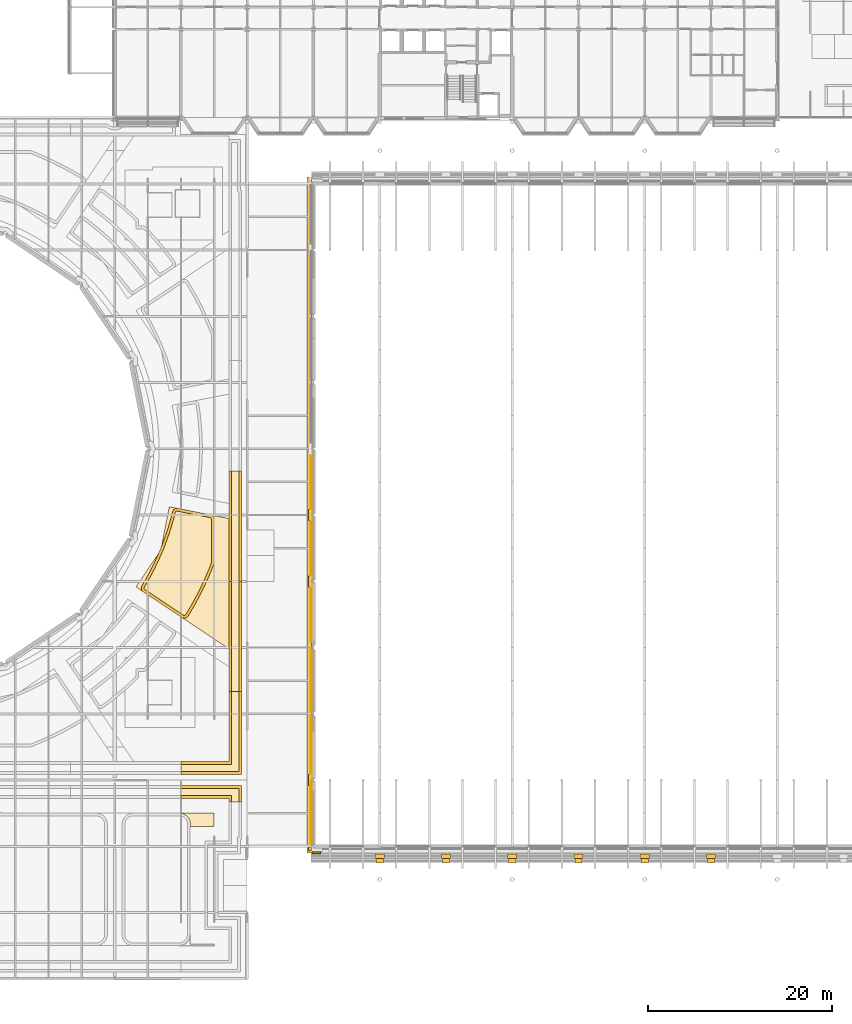
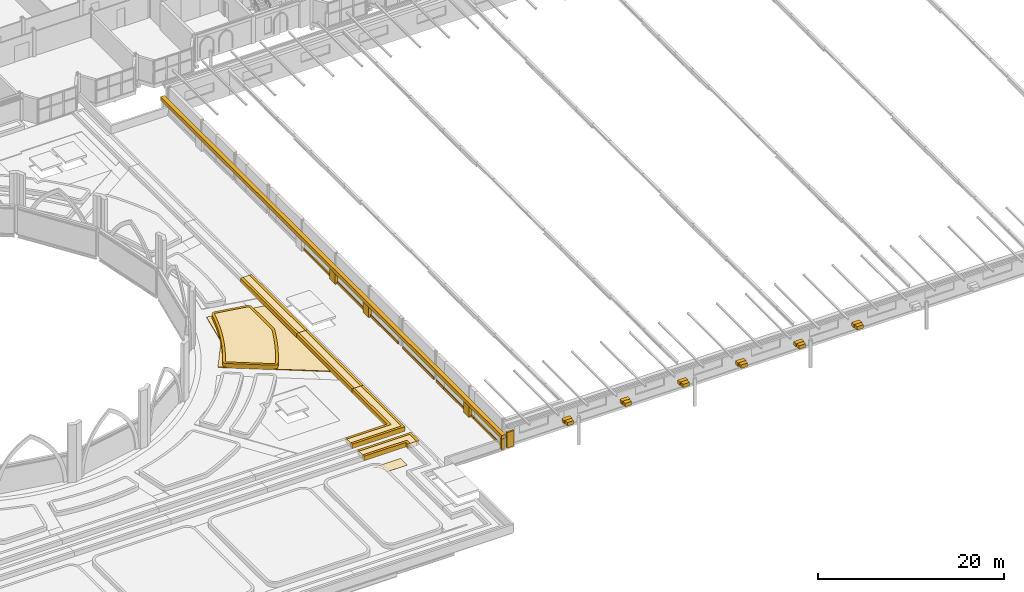
# One storey, part 92 of 110: 42 coverings.
"""IFC4 building model written with IfcOpenShell, lengths in metres."""

import ifcopenshell
import ifcopenshell.guid

model = None  # the IFC model being written
_history = None  # IfcOwnerHistory: only IFC2X3 demands one
_inside = {}  # id of a spatial element -> (the spatial element, [elements in it])
_under = {}  # id of a project, library or spatial element -> (it, [spatial elements below it])
_declared = {}  # id of a project -> (the project, [libraries it declares])
_typed = {}  # id of a type object -> (the type object, [elements of that type])
_made_of = {}  # id of a material, layer set ... -> (it, [elements and type objects made of it])


def new_model(schema):
    """Start an empty IFC model of exactly this schema.

    Asked for "IFC4X3", IfcOpenShell would pick the latest addendum, in which some entities
    have other attributes; the version numbers below select the first issue.
    IFC2X3 requires an IfcOwnerHistory on every rooted entity: one is made here for all.
    """
    global model, _history
    if schema == "IFC4X3":
        model = ifcopenshell.file(schema_version=(4, 3, 0, 0))
    else:
        model = ifcopenshell.file(schema=schema)
    _inside.clear()
    _under.clear()
    _declared.clear()
    _typed.clear()
    _made_of.clear()
    _history = None
    if model.schema == "IFC2X3":
        org = make("IfcOrganization", Name="unknown")
        user = make(
            "IfcPersonAndOrganization",
            ThePerson=make("IfcPerson", FamilyName="unknown"),
            TheOrganization=org,
        )
        app = make(
            "IfcApplication",
            ApplicationDeveloper=org,
            Version="unknown",
            ApplicationFullName="unknown",
            ApplicationIdentifier="unknown",
        )
        _history = make(
            "IfcOwnerHistory",
            OwningUser=user,
            OwningApplication=app,
            ChangeAction="ADDED",
            CreationDate=0,
        )
    return model


def make(cls, **values):
    """One entity of the class cls with the attributes given. An attribute that is None is left unset."""
    return model.create_entity(
        cls, **{name: value for name, value in values.items() if value is not None}
    )


def rooted(cls, **values):
    """An entity with a GlobalId (a new one), such as an element, a storey or a relation."""
    return make(cls, GlobalId=ifcopenshell.guid.new(), OwnerHistory=_history, **values)


def si_unit(unit_type, name, prefix=None):
    """IfcSIUnit, for example si_unit("LENGTHUNIT", "METRE", prefix="MILLI")."""
    return make("IfcSIUnit", UnitType=unit_type, Prefix=prefix, Name=name)


def assignment(units):
    """IfcUnitAssignment: the units of a project."""
    return None if units is None else make("IfcUnitAssignment", Units=units)


def point(xyz):
    """IfcCartesianPoint."""
    return None if xyz is None else make("IfcCartesianPoint", Coordinates=xyz)


def direction(xyz):
    """IfcDirection."""
    return None if xyz is None else make("IfcDirection", DirectionRatios=xyz)


def frame(location, z_axis=None, x_axis=None):
    """IfcAxis2Placement3D, a coordinate frame: its origin and axes. An axis left out is left unset."""
    return make(
        "IfcAxis2Placement3D",
        Location=point(location),
        Axis=direction(z_axis),
        RefDirection=direction(x_axis),
    )


def frame_2d(location, x_axis=None):
    """IfcAxis2Placement2D, a coordinate frame in the plane: its origin and x axis."""
    return make(
        "IfcAxis2Placement2D", Location=point(location), RefDirection=direction(x_axis)
    )


def origin():
    """The frame at (0, 0, 0) with its axes left unset."""
    return frame((0.0, 0.0, 0.0))


def origin_2d():
    """The frame at (0, 0) in the plane with its x axis left unset."""
    return frame_2d((0.0, 0.0))


def place(relative_to, where):
    """IfcLocalPlacement: puts the frame where relative to a parent placement (None: the world)."""
    return make(
        "IfcLocalPlacement", PlacementRelTo=relative_to, RelativePlacement=where
    )


def context(
    kind, dimensions, precision=None, world=None, true_north=None, identifier=None
):
    """IfcGeometricRepresentationContext, for example the 3D "Model" context."""
    return make(
        "IfcGeometricRepresentationContext",
        ContextIdentifier=identifier,
        ContextType=kind,
        CoordinateSpaceDimension=dimensions,
        Precision=precision,
        WorldCoordinateSystem=world,
        TrueNorth=true_north,
    )


def subcontext(parent, identifier, kind, view, scale=None):
    """IfcGeometricRepresentationSubContext, for example "Body" below "Model"."""
    return make(
        "IfcGeometricRepresentationSubContext",
        ContextIdentifier=identifier,
        ContextType=kind,
        ParentContext=parent,
        TargetScale=scale,
        TargetView=view,
    )


def project(units=None, contexts=None):
    """IfcProject with its units and contexts."""
    return rooted(
        "IfcProject",
        Name="project",
        RepresentationContexts=contexts,
        UnitsInContext=assignment(units),
    )


def spatial(cls, under=None, at=None, **own):
    """A site, building, storey or space (cls), placed at a placement, below another one or the project."""
    s = rooted(cls, ObjectPlacement=at, **own)
    if under is not None:
        _under.setdefault(under.id(), (under, []))[1].append(s)
    return s


def polyline(points):
    """IfcPolyline through the points."""
    return make("IfcPolyline", Points=[point(p) for p in points])


def profile(cls, at=None, kind="AREA", **sizes):
    """A parametric profile (cls). Its sizes go by their IFC names, for example OverallWidth=200.0."""
    return make(cls, ProfileType=kind, Position=at, **sizes)


def rectangle(**sizes):
    """IfcRectangleProfileDef."""
    return profile("IfcRectangleProfileDef", **sizes)


def outline(outer, holes=None, kind="AREA"):
    """IfcArbitraryClosedProfileDef: a profile drawn as a closed curve; with holes, ...WithVoids."""
    if holes is None:
        return make("IfcArbitraryClosedProfileDef", ProfileType=kind, OuterCurve=outer)
    return make(
        "IfcArbitraryProfileDefWithVoids",
        ProfileType=kind,
        OuterCurve=outer,
        InnerCurves=holes,
    )


def extrude(swept, where, along, depth):
    """IfcExtrudedAreaSolid: the profile swept, set in the frame where, extruded along a direction by depth."""
    return make(
        "IfcExtrudedAreaSolid",
        SweptArea=swept,
        Position=where,
        ExtrudedDirection=direction(along),
        Depth=depth,
    )


def shape(context_of_items, identifier, shape_type, items):
    """IfcShapeRepresentation: the items that make up one representation, for example the "Body"."""
    return make(
        "IfcShapeRepresentation",
        ContextOfItems=context_of_items,
        RepresentationIdentifier=identifier,
        RepresentationType=shape_type,
        Items=items,
    )


def material(Name=None, Category=None):
    """IfcMaterial."""
    return make("IfcMaterial", Name=Name, Category=Category)


def layer(
    of_material, thickness, ventilated=None, Name=None, Category=None, Priority=None
):
    """IfcMaterialLayer: one layer of a wall or slab, of a material (None: an air gap)."""
    return make(
        "IfcMaterialLayer",
        Material=of_material,
        LayerThickness=thickness,
        IsVentilated=ventilated,
        Name=Name,
        Category=Category,
        Priority=Priority,
    )


def layer_set(layers, Name=None):
    """IfcMaterialLayerSet."""
    return make("IfcMaterialLayerSet", MaterialLayers=layers, LayerSetName=Name)


def made_of(thing, what):
    """Note that an element or type object is made of a material, layer set ...; save() writes the relation."""
    if what is not None:
        _made_of.setdefault(what.id(), (what, []))[1].append(thing)
    return thing


def type_object(cls, material=None, **own):
    """A type object (cls), such as IfcWallType, which elements share."""
    return made_of(rooted(cls, **own), material)


def element(
    cls,
    number,
    at=None,
    inside=None,
    cuts=None,
    type_object=None,
    material=None,
    context=None,
    identifier="Body",
    shape_type=None,
    held_by="IfcProductDefinitionShape",
    body=None,
    shapes=None,
    **own,
):
    """One element of the class cls, such as IfcWall. Its Tag is "e" and its number.

    at: its placement. inside: the storey or other place that contains it. cuts: it is an
    opening in that element (IfcRelVoidsElement). A single representation is given by context,
    identifier, shape_type and body (its items); several are given by shapes. held_by: the class
    of the entity that holds the representations. save() writes the other relations.
    """
    e = rooted(cls, Tag="e%d" % number, ObjectPlacement=at, **own)
    if body is not None:
        shapes = [shape(context, identifier, shape_type, body)]
    if shapes is not None:
        e.Representation = make(held_by, Representations=shapes)
    if inside is not None:
        _inside.setdefault(inside.id(), (inside, []))[1].append(e)
    if cuts is not None:
        rooted(
            "IfcRelVoidsElement", RelatingBuildingElement=cuts, RelatedOpeningElement=e
        )
    if type_object is not None:
        _typed.setdefault(type_object.id(), (type_object, []))[1].append(e)
    return made_of(e, material)


def aggregate(whole, parts):
    """IfcRelAggregates: a whole, such as a stair, and the parts it consists of."""
    return rooted("IfcRelAggregates", RelatingObject=whole, RelatedObjects=parts)


def save(model, path):
    """Write the relations noted so far, then the file.

    IfcRelAggregates (storeys below a building ...), IfcRelContainedInSpatialStructure (elements
    in a storey), IfcRelDefinesByType, IfcRelAssociatesMaterial and IfcRelDeclares: one each for
    every whole, place, type object, material and project.
    """
    for whole, parts in _under.values():
        aggregate(whole, parts)
    for where, things in _inside.values():
        rooted(
            "IfcRelContainedInSpatialStructure",
            RelatedElements=things,
            RelatingStructure=where,
        )
    for kind, things in _typed.values():
        rooted("IfcRelDefinesByType", RelatedObjects=things, RelatingType=kind)
    for what, things in _made_of.values():
        rooted("IfcRelAssociatesMaterial", RelatedObjects=things, RelatingMaterial=what)
    for by, libraries in _declared.values():
        rooted("IfcRelDeclares", RelatingContext=by, RelatedDefinitions=libraries)
    model.write(path)


model = new_model("IFC4")

# Units and contexts
model_context = context("Model", 3, precision=1e-05, world=origin(), true_north=direction((0.0, 1.0)))
body_context = subcontext(model_context, "Body", "Model", "MODEL_VIEW")
ifc_project = project(units=[si_unit("LENGTHUNIT", "METRE"), si_unit("AREAUNIT", "SQUARE_METRE"), si_unit("VOLUMEUNIT", "CUBIC_METRE"), si_unit("PLANEANGLEUNIT", "RADIAN"), si_unit("MASSUNIT", "GRAM", prefix="KILO")], contexts=[model_context])

# Site, building, storey
site_placement = place(None, origin())
site = spatial("IfcSite", under=ifc_project, at=site_placement, CompositionType="ELEMENT")
building_placement = place(site_placement, origin())
building = spatial("IfcBuilding", under=site, at=building_placement, Name="Kupolbacken Congress Centre", CompositionType="ELEMENT")
storey_placement = place(building_placement, frame((0.0, 0.0, 18.0)))
storey = spatial("IfcBuildingStorey", under=building, at=storey_placement, Name="L05", CompositionType="ELEMENT", Elevation=18.0)

# Coverings
ifc_material_1 = material(Name="Limestone cladding", Category="masonry")
ifc_layer_1 = layer(ifc_material_1, 0.5)
ifc_layer_set_1 = layer_set([ifc_layer_1], Name="Limestone cladding")
covering_type_1 = type_object("IfcCoveringType", Name="CV10 limestone cornice 500", PredefinedType="CLADDING", material=ifc_layer_set_1)
covering_1_placement = place(storey_placement, frame((85.93994140625, 79.199951171875, 1.60009765625), z_axis=(0.0, 0.0, 1.0), x_axis=(0.0, 1.0, 0.0)))
element("IfcCovering", 1, at=covering_1_placement, inside=storey, type_object=covering_type_1, Name="F/H/W/cornice", PredefinedType="CLADDING", context=body_context, shape_type="SweptSolid", body=[
    extrude(rectangle(XDim=73.419921875, YDim=0.5, at=origin_2d()), origin(), (0.0, 0.0, 1.0), 0.5),
])
ifc_material_2 = material(Name="Brick cladding", Category="masonry")
ifc_layer_2 = layer(ifc_material_2, 0.10791015625)
ifc_layer_set_2 = layer_set([ifc_layer_2], Name="Brick cladding")
covering_type_2 = type_object("IfcCoveringType", Name="CV2 brick cladding band 108", PredefinedType="CLADDING", material=ifc_layer_set_2)
for number, where, z_axis, x_axis, name in (
    (2, (86.135986328125, 82.800048828125, 0.0), (0.0, 0.0, 1.0), (0.0, -1.0, 0.0), "E/H/W/L05/476/band"),
    (3, (86.135986328125, 75.60009765625, 0.0), (0.0, 0.0, 1.0), (0.0, -1.0, 0.0), "E/H/W/L05/477/band"),
):
    element("IfcCovering", number, at=place(storey_placement, frame(where, z_axis=z_axis, x_axis=x_axis)), inside=storey, type_object=covering_type_2, Name=name, PredefinedType="CLADDING", context=body_context, shape_type="SweptSolid", body=[
        extrude(rectangle(XDim=6.909912109375, YDim=0.10791015625, at=origin_2d()), origin(), (0.0, 0.0, 1.0), 0.300048828125),
    ])
covering_2_placement = place(storey_placement, frame((86.135986328125, 68.677490234375, 0.0), z_axis=(0.0, 0.0, 1.0), x_axis=(0.0, -1.0, 0.0)))
element("IfcCovering", 4, at=covering_2_placement, inside=storey, type_object=covering_type_2, Name="E/H/W/L05/478/band", PredefinedType="CLADDING", context=body_context, shape_type="SweptSolid", body=[
    extrude(rectangle(XDim=6.35498046875, YDim=0.10791015625, at=origin_2d()), origin(), (0.0, 0.0, 1.0), 0.300048828125),
])
covering_3_placement = place(storey_placement, frame((86.135986328125, 61.199951171875, 0.0), z_axis=(0.0, 0.0, 1.0), x_axis=(0.0, -1.0, 0.0)))
element("IfcCovering", 5, at=covering_3_placement, inside=storey, type_object=covering_type_2, Name="E/H/W/L05/480/band", PredefinedType="CLADDING", context=body_context, shape_type="SweptSolid", body=[
    extrude(rectangle(XDim=6.7099609375, YDim=0.10791015625, at=origin_2d()), origin(), (0.0, 0.0, 1.0), 0.300048828125),
])
covering_4_placement = place(storey_placement, frame((86.135986328125, 56.527587890625, 0.0), z_axis=(0.0, 0.0, 1.0), x_axis=(0.0, -1.0, 0.0)))
element("IfcCovering", 6, at=covering_4_placement, inside=storey, type_object=covering_type_2, Name="E/H/W/L05/481/band", PredefinedType="CLADDING", context=body_context, shape_type="SweptSolid", body=[
    extrude(rectangle(XDim=1.655029296875, YDim=0.10791015625, at=origin_2d()), origin(), (0.0, 0.0, 1.0), 0.300048828125),
])
covering_5_placement = place(storey_placement, frame((86.135986328125, 53.12255859375, 0.0), z_axis=(0.0, 0.0, 1.0), x_axis=(0.0, -1.0, 0.0)))
element("IfcCovering", 7, at=covering_5_placement, inside=storey, type_object=covering_type_2, Name="E/H/W/L05/482/band", PredefinedType="CLADDING", context=body_context, shape_type="SweptSolid", body=[
    extrude(rectangle(XDim=5.155029296875, YDim=0.10791015625, at=origin_2d()), origin(), (0.0, 0.0, 1.0), 0.300048828125),
])
covering_6_placement = place(storey_placement, frame((86.135986328125, 49.7275390625, 0.0), z_axis=(0.0, 0.0, 1.0), x_axis=(0.0, -1.0, 0.0)))
element("IfcCovering", 8, at=covering_6_placement, inside=storey, type_object=covering_type_2, Name="E/H/W/L05/483/band", PredefinedType="CLADDING", context=body_context, shape_type="SweptSolid", body=[
    extrude(rectangle(XDim=1.054931640625, YDim=0.10791015625, at=origin_2d()), origin(), (0.0, 0.0, 1.0), 0.300048828125),
])
covering_7_placement = place(storey_placement, frame((86.135986328125, 46.2724609375, 0.0), z_axis=(0.0, 0.0, 1.0), x_axis=(0.0, -1.0, 0.0)))
element("IfcCovering", 9, at=covering_7_placement, inside=storey, type_object=covering_type_2, Name="E/H/W/L05/484/band", PredefinedType="CLADDING", context=body_context, shape_type="SweptSolid", body=[
    extrude(rectangle(XDim=5.85498046875, YDim=0.10791015625, at=origin_2d()), origin(), (0.0, 0.0, 1.0), 0.300048828125),
])
ifc_material_3 = material(Name="Limestone cladding", Category="masonry")
ifc_layer_3 = layer(ifc_material_3, 0.35009765625)
ifc_layer_set_3 = layer_set([ifc_layer_3], Name="Limestone cladding")
covering_type_3 = type_object("IfcCoveringType", Name="CV3 limestone pilaster strip 350", PredefinedType="CLADDING", material=ifc_layer_set_3)
for number, where, z_axis, x_axis, name in (
    (10, (86.014892578125, 50.39990234375, 0.0), (0.0, 0.0, 1.0), (0.0, 1.0, 0.0), "F/H/W/pil/01/0"),
    (11, (86.014892578125, 72.0, 0.0), (0.0, 0.0, 1.0), (0.0, 1.0, 0.0), "F/H/W/pil/04/0"),
    (12, (86.014892578125, 79.199951171875, 0.0), (0.0, 0.0, 1.0), (0.0, 1.0, 0.0), "F/H/W/pil/05/0"),
):
    element("IfcCovering", number, at=place(storey_placement, frame(where, z_axis=z_axis, x_axis=x_axis)), inside=storey, type_object=covering_type_3, Name=name, PredefinedType="CLADDING", context=body_context, shape_type="SweptSolid", body=[
        extrude(rectangle(XDim=1.199951171875, YDim=0.35009765625, at=origin_2d()), origin(), (0.0, 0.0, 1.0), 1.60009765625),
    ])
covering_8_placement = place(storey_placement, frame((86.014892578125, 42.93994140625, 0.0), z_axis=(0.0, 0.0, 1.0), x_axis=(1.0, 0.0, 0.0)))
element("IfcCovering", 13, at=covering_8_placement, inside=storey, type_object=covering_type_3, Name="F/H/corner/S/W/0", PredefinedType="CLADDING", context=body_context, shape_type="SweptSolid", body=[
    extrude(rectangle(XDim=0.35009765625, YDim=0.35009765625, at=origin_2d()), origin(), (0.0, 0.0, 1.0), 1.60009765625),
])
ifc_material_4 = material(Name="Limestone cladding", Category="masonry")
ifc_layer_4 = layer(ifc_material_4, 0.60009765625)
ifc_layer_set_4 = layer_set([ifc_layer_4], Name="Limestone cladding")
covering_type_4 = type_object("IfcCoveringType", Name="CV5 limestone arcade pier 600", PredefinedType="CLADDING", material=ifc_layer_set_4)
covering_9_placement = place(storey_placement, origin())
element("IfcCovering", 14, at=covering_9_placement, inside=storey, type_object=covering_type_4, Name="Bed kerb, plenary wing roof", PredefinedType="CLADDING", context=body_context, shape_type="SweptSolid", body=[
    extrude(outline(polyline([(77.197509765625, 52.402587890625), (77.197509765625, 60.0), (77.49755859375, 60.0), (77.49755859375, 52.1025390625), (72.0, 52.1025390625), (72.0, 52.402587890625), (77.197509765625, 52.402587890625)])), origin(), (0.0, 0.0, 1.0), 0.60009765625),
])
covering_10_placement = place(storey_placement, origin())
element("IfcCovering", 15, at=covering_10_placement, inside=storey, type_object=covering_type_4, Name="Bed kerb, plenary wing roof", PredefinedType="CLADDING", context=body_context, shape_type="SweptSolid", body=[
    extrude(outline(polyline([(78.597412109375, 51.00244140625), (72.0, 51.00244140625), (72.0, 51.302490234375), (78.297607421875, 51.302490234375), (78.297607421875, 60.0), (78.597412109375, 60.0), (78.597412109375, 51.00244140625)])), origin(), (0.0, 0.0, 1.0), 0.60009765625),
])
covering_11_placement = place(storey_placement, origin())
element("IfcCovering", 16, at=covering_11_placement, inside=storey, type_object=covering_type_4, Name="Bed kerb, plenary wing roof", PredefinedType="CLADDING", context=body_context, shape_type="SweptSolid", body=[
    extrude(outline(polyline([(77.197509765625, 72.0), (77.49755859375, 72.0), (77.49755859375, 60.0), (77.197509765625, 60.0), (77.197509765625, 72.0)])), origin(), (0.0, 0.0, 1.0), 0.60009765625),
])
covering_12_placement = place(storey_placement, origin())
element("IfcCovering", 17, at=covering_12_placement, inside=storey, type_object=covering_type_4, Name="Bed kerb, plenary wing roof", PredefinedType="CLADDING", context=body_context, shape_type="SweptSolid", body=[
    extrude(outline(polyline([(78.597412109375, 60.0), (78.297607421875, 60.0), (78.297607421875, 72.0), (78.597412109375, 72.0), (78.597412109375, 60.0)])), origin(), (0.0, 0.0, 1.0), 0.60009765625),
])
covering_13_placement = place(storey_placement, origin())
element("IfcCovering", 18, at=covering_13_placement, inside=storey, type_object=covering_type_4, Name="Bed kerb, plenary wing roof", PredefinedType="CLADDING", context=body_context, shape_type="SweptSolid", body=[
    extrude(outline(polyline([(77.197509765625, 84.0), (77.49755859375, 84.0), (77.49755859375, 72.0), (77.197509765625, 72.0), (77.197509765625, 84.0)])), origin(), (0.0, 0.0, 1.0), 0.60009765625),
])
covering_14_placement = place(storey_placement, origin())
element("IfcCovering", 19, at=covering_14_placement, inside=storey, type_object=covering_type_4, Name="Bed kerb, plenary wing roof", PredefinedType="CLADDING", context=body_context, shape_type="SweptSolid", body=[
    extrude(outline(polyline([(78.597412109375, 72.0), (78.297607421875, 72.0), (78.297607421875, 84.0), (78.597412109375, 84.0), (78.597412109375, 72.0)])), origin(), (0.0, 0.0, 1.0), 0.60009765625),
])
covering_15_placement = place(storey_placement, origin())
element("IfcCovering", 20, at=covering_15_placement, inside=storey, type_object=covering_type_4, Name="Bed kerb, plenary wing roof", PredefinedType="CLADDING", context=body_context, shape_type="SweptSolid", body=[
    extrude(outline(polyline([(72.75, 68.181396484375), (72.71728515625, 68.143310546875), (72.681396484375, 68.1083984375), (72.641845703125, 68.077392578125), (72.599365234375, 68.05029296875), (72.5546875, 68.02783203125), (72.5078125, 68.009765625), (72.459228515625, 67.99658203125), (72.40966796875, 67.988525390625), (72.359619140625, 67.985107421875), (72.309326171875, 67.987060546875), (72.259521484375, 67.993896484375), (72.210693359375, 68.005615234375), (72.16357421875, 68.0224609375), (72.117919921875, 68.043701171875), (72.074951171875, 68.069580078125), (67.9150390625, 70.848876953125), (67.87646484375, 70.87744140625), (67.8408203125, 70.909423828125), (67.80859375, 70.944580078125), (67.77978515625, 70.98291015625), (67.754638671875, 71.023681640625), (67.733642578125, 71.06689453125), (67.716796875, 71.11181640625), (67.704345703125, 71.157958984375), (67.6962890625, 71.205322265625), (67.69287109375, 71.253173828125), (67.694091796875, 71.301025390625), (67.699951171875, 71.3486328125), (67.710205078125, 71.3955078125), (67.724853515625, 71.44091796875), (67.743896484375, 71.48486328125), (67.76708984375, 71.52685546875), (67.832275390625, 71.632568359375), (67.835205078125, 71.6376953125), (68.187255859375, 72.241455078125), (68.190185546875, 72.246826171875), (68.527099609375, 72.85888671875), (68.530029296875, 72.8642578125), (68.851806640625, 73.484619140625), (68.8544921875, 73.489990234375), (69.160888671875, 74.117919921875), (69.163818359375, 74.12353515625), (69.45458984375, 74.7587890625), (69.45703125, 74.764404296875), (69.732421875, 75.406494140625), (69.73486328125, 75.412353515625), (69.994140625, 76.06103515625), (69.996337890625, 76.06689453125), (70.239990234375, 76.7216796875), (70.241943359375, 76.7275390625), (70.46923828125, 77.38818359375), (70.47119140625, 77.39404296875), (70.68212890625, 78.060302734375), (70.68408203125, 78.06591796875), (70.878662109375, 78.737060546875), (70.880126953125, 78.742919921875), (71.058349609375, 79.418701171875), (71.059814453125, 79.424560546875), (71.0888671875, 79.54638671875), (71.10205078125, 79.592529296875), (71.11962890625, 79.63720703125), (71.1416015625, 79.6796875), (71.167236328125, 79.72021484375), (71.197021484375, 79.7578125), (71.22998046875, 79.79248046875), (71.26611328125, 79.823974609375), (71.30517578125, 79.851806640625), (71.3466796875, 79.875732421875), (71.390380859375, 79.8955078125), (71.435546875, 79.9111328125), (71.482177734375, 79.92236328125), (71.529541015625, 79.928955078125), (71.577392578125, 79.930908203125), (71.62548828125, 79.928466796875), (71.6728515625, 79.92138671875), (75.195068359375, 79.220703125), (75.24267578125, 79.208984375), (75.288818359375, 79.1923828125), (75.333251953125, 79.17138671875), (75.375244140625, 79.146240234375), (75.414794921875, 79.116943359375), (75.450927734375, 79.083984375), (75.48388671875, 79.047607421875), (75.51318359375, 79.00830078125), (75.53857421875, 78.966064453125), (75.559326171875, 78.921875), (75.575927734375, 78.87548828125), (75.587890625, 78.827880859375), (75.59521484375, 78.779541015625), (75.597412109375, 78.73046875), (75.597412109375, 74.01123046875), (75.59521484375, 73.9638671875), (75.58837890625, 73.916748046875), (75.577392578125, 73.87060546875), (75.561767578125, 73.82568359375), (75.279296875, 73.118896484375), (75.2744140625, 73.107666015625), (74.943603515625, 72.335693359375), (74.938720703125, 72.324462890625), (74.5888671875, 71.56103515625), (74.58349609375, 71.5498046875), (74.21533203125, 70.795166015625), (74.209716796875, 70.7841796875), (73.822998046875, 70.03857421875), (73.817138671875, 70.02783203125), (73.412109375, 69.2919921875), (73.40625, 69.281494140625), (72.9833984375, 68.555908203125), (72.976806640625, 68.545166015625), (72.7783203125, 68.222900390625), (72.75, 68.181396484375)]), holes=[polyline([(72.720703125, 68.700927734375), (72.72509765625, 68.70849609375), (73.14599609375, 69.430908203125), (73.150390625, 69.438232421875), (73.553466796875, 70.1708984375), (73.5576171875, 70.178466796875), (73.942626953125, 70.920654296875), (73.946533203125, 70.92822265625), (74.313232421875, 71.6796875), (74.31689453125, 71.6875), (74.6650390625, 72.44775390625), (74.668701171875, 72.45556640625), (74.998046875, 73.22412109375), (75.001220703125, 73.232177734375), (75.280517578125, 73.930419921875), (75.2890625, 73.955078125), (75.293701171875, 73.973388671875), (75.29638671875, 73.9921875), (75.297607421875, 74.018310546875), (75.297607421875, 78.72314453125), (75.296142578125, 78.75), (75.293212890625, 78.769287109375), (75.28857421875, 78.788330078125), (75.281982421875, 78.806884765625), (75.273681640625, 78.82470703125), (75.263427734375, 78.84130859375), (75.251708984375, 78.857177734375), (75.23876953125, 78.87158203125), (75.22412109375, 78.884765625), (75.20849609375, 78.896484375), (75.191650390625, 78.906494140625), (75.173828125, 78.914794921875), (75.155517578125, 78.92138671875), (75.12939453125, 78.927978515625), (71.621337890625, 79.625732421875), (71.59521484375, 79.629638671875), (71.576171875, 79.630615234375), (71.556884765625, 79.6298828125), (71.5380859375, 79.627197265625), (71.51953125, 79.622802734375), (71.50146484375, 79.616455078125), (71.48388671875, 79.608642578125), (71.46728515625, 79.59912109375), (71.451904296875, 79.587890625), (71.437255859375, 79.575439453125), (71.424072265625, 79.5615234375), (71.412353515625, 79.54638671875), (71.402099609375, 79.5302734375), (71.393310546875, 79.51318359375), (71.38623046875, 79.49560546875), (71.37890625, 79.47021484375), (71.351318359375, 79.353515625), (71.348876953125, 79.343994140625), (71.169921875, 78.664794921875), (71.167236328125, 78.6552734375), (70.9716796875, 77.980712890625), (70.96875, 77.97119140625), (70.756591796875, 77.3017578125), (70.75341796875, 77.29248046875), (70.52490234375, 76.628173828125), (70.521728515625, 76.618896484375), (70.277099609375, 75.96044921875), (70.2734375, 75.951416015625), (70.0126953125, 75.29931640625), (70.0087890625, 75.2900390625), (69.732177734375, 74.64453125), (69.728271484375, 74.635498046875), (69.435791015625, 73.996826171875), (69.431396484375, 73.988037109375), (69.123291015625, 73.356689453125), (69.118896484375, 73.347900390625), (68.79541015625, 72.724609375), (68.790771484375, 72.7158203125), (68.4521484375, 72.1005859375), (68.447265625, 72.091796875), (68.093505859375, 71.485107421875), (68.088623046875, 71.476806640625), (68.0263671875, 71.37548828125), (68.013671875, 71.3525390625), (68.006103515625, 71.3349609375), (68.0, 71.31689453125), (67.99609375, 71.298095703125), (67.99365234375, 71.279052734375), (67.9931640625, 71.260009765625), (67.99462890625, 71.240966796875), (67.997802734375, 71.221923828125), (68.002685546875, 71.20361328125), (68.009521484375, 71.185546875), (68.017822265625, 71.16845703125), (68.02783203125, 71.152099609375), (68.039306640625, 71.136962890625), (68.05224609375, 71.122802734375), (68.06640625, 71.110107421875), (68.087646484375, 71.09423828125), (72.2353515625, 68.322998046875), (72.259033203125, 68.308837890625), (72.277099609375, 68.30029296875), (72.2958984375, 68.293701171875), (72.3154296875, 68.2890625), (72.33544921875, 68.286376953125), (72.35546875, 68.28564453125), (72.37548828125, 68.286865234375), (72.395263671875, 68.290283203125), (72.41455078125, 68.29541015625), (72.433349609375, 68.302490234375), (72.451171875, 68.3115234375), (72.468017578125, 68.322265625), (72.48388671875, 68.334716796875), (72.498291015625, 68.3486328125), (72.51123046875, 68.364013671875), (72.52685546875, 68.38671875), (72.720703125, 68.700927734375)])]), origin(), (0.0, 0.0, 1.0), 0.60009765625),
])
covering_16_placement = place(storey_placement, origin())
element("IfcCovering", 21, at=covering_16_placement, inside=storey, type_object=covering_type_4, Name="Bed kerb, roof garden", PredefinedType="CLADDING", context=body_context, shape_type="SweptSolid", body=[
    extrude(outline(polyline([(78.597412109375, 49.797607421875), (78.597412109375, 48.0), (78.297607421875, 48.0), (78.297607421875, 49.49755859375), (72.0, 49.49755859375), (72.0, 49.797607421875), (78.597412109375, 49.797607421875)])), origin(), (0.0, 0.0, 1.0), 0.60009765625),
])
covering_17_placement = place(storey_placement, origin())
element("IfcCovering", 22, at=covering_17_placement, inside=storey, type_object=covering_type_4, Name="Bed kerb, roof garden", PredefinedType="CLADDING", context=body_context, shape_type="SweptSolid", body=[
    extrude(outline(polyline([(77.49755859375, 48.697509765625), (77.49755859375, 48.0), (77.197509765625, 48.0), (77.197509765625, 48.3974609375), (72.0, 48.3974609375), (72.0, 48.697509765625), (77.49755859375, 48.697509765625)])), origin(), (0.0, 0.0, 1.0), 0.60009765625),
])
ifc_material_5 = material(Name="Limestone cladding", Category="masonry")
ifc_layer_5 = layer(ifc_material_5, 0.5)
ifc_layer_set_5 = layer_set([ifc_layer_5], Name="Limestone cladding")
covering_type_5 = type_object("IfcCoveringType", Name="CV8 limestone drum pier 500", PredefinedType="CLADDING", material=ifc_layer_set_5)
covering_18_placement = place(storey_placement, frame((93.60009765625, 42.139892578125, 1.38525390625), z_axis=(0.0, 0.0, 1.0), x_axis=(1.0, 0.0, 0.0)))
element("IfcCovering", 23, at=covering_18_placement, inside=storey, type_object=covering_type_5, Name="F/HR/H/S/cap/01-0/0", PredefinedType="CLADDING", context=body_context, shape_type="SweptSolid", body=[
    extrude(rectangle(XDim=1.0, YDim=0.5, at=origin_2d()), origin(), (0.0, 0.0, 1.0), 0.449951171875),
])
covering_19_placement = place(storey_placement, frame((93.60009765625, 41.639892578125, 1.38525390625), z_axis=(0.0, 0.0, 1.0), x_axis=(1.0, 0.0, 0.0)))
element("IfcCovering", 24, at=covering_19_placement, inside=storey, type_object=covering_type_5, Name="F/HR/H/S/cap2/01-0/0", PredefinedType="CLADDING", context=body_context, shape_type="SweptSolid", body=[
    extrude(rectangle(XDim=0.800048828125, YDim=0.5, at=origin_2d()), origin(), (0.0, 0.0, 1.0), 0.449951171875),
])
covering_20_placement = place(storey_placement, frame((100.800048828125, 42.139892578125, 1.38525390625), z_axis=(0.0, 0.0, 1.0), x_axis=(1.0, 0.0, 0.0)))
element("IfcCovering", 25, at=covering_20_placement, inside=storey, type_object=covering_type_5, Name="F/HR/H/S/cap/02-0/0", PredefinedType="CLADDING", context=body_context, shape_type="SweptSolid", body=[
    extrude(rectangle(XDim=1.0, YDim=0.5, at=origin_2d()), origin(), (0.0, 0.0, 1.0), 0.449951171875),
])
covering_21_placement = place(storey_placement, frame((100.800048828125, 41.639892578125, 1.38525390625), z_axis=(0.0, 0.0, 1.0), x_axis=(1.0, 0.0, 0.0)))
element("IfcCovering", 26, at=covering_21_placement, inside=storey, type_object=covering_type_5, Name="F/HR/H/S/cap2/02-0/0", PredefinedType="CLADDING", context=body_context, shape_type="SweptSolid", body=[
    extrude(rectangle(XDim=0.800048828125, YDim=0.5, at=origin_2d()), origin(), (0.0, 0.0, 1.0), 0.449951171875),
])
covering_22_placement = place(storey_placement, frame((108.0, 42.139892578125, 1.38525390625), z_axis=(0.0, 0.0, 1.0), x_axis=(1.0, 0.0, 0.0)))
element("IfcCovering", 27, at=covering_22_placement, inside=storey, type_object=covering_type_5, Name="F/HR/H/S/cap/03-0/0", PredefinedType="CLADDING", context=body_context, shape_type="SweptSolid", body=[
    extrude(rectangle(XDim=1.0, YDim=0.5, at=origin_2d()), origin(), (0.0, 0.0, 1.0), 0.449951171875),
])
covering_23_placement = place(storey_placement, frame((108.0, 41.639892578125, 1.38525390625), z_axis=(0.0, 0.0, 1.0), x_axis=(1.0, 0.0, 0.0)))
element("IfcCovering", 28, at=covering_23_placement, inside=storey, type_object=covering_type_5, Name="F/HR/H/S/cap2/03-0/0", PredefinedType="CLADDING", context=body_context, shape_type="SweptSolid", body=[
    extrude(rectangle(XDim=0.800048828125, YDim=0.5, at=origin_2d()), origin(), (0.0, 0.0, 1.0), 0.449951171875),
])
covering_24_placement = place(storey_placement, frame((115.199951171875, 42.139892578125, 1.38525390625), z_axis=(0.0, 0.0, 1.0), x_axis=(1.0, 0.0, 0.0)))
element("IfcCovering", 29, at=covering_24_placement, inside=storey, type_object=covering_type_5, Name="F/HR/H/S/cap/04-0/0", PredefinedType="CLADDING", context=body_context, shape_type="SweptSolid", body=[
    extrude(rectangle(XDim=1.0, YDim=0.5, at=origin_2d()), origin(), (0.0, 0.0, 1.0), 0.449951171875),
])
covering_25_placement = place(storey_placement, frame((115.199951171875, 41.639892578125, 1.38525390625), z_axis=(0.0, 0.0, 1.0), x_axis=(1.0, 0.0, 0.0)))
element("IfcCovering", 30, at=covering_25_placement, inside=storey, type_object=covering_type_5, Name="F/HR/H/S/cap2/04-0/0", PredefinedType="CLADDING", context=body_context, shape_type="SweptSolid", body=[
    extrude(rectangle(XDim=0.800048828125, YDim=0.5, at=origin_2d()), origin(), (0.0, 0.0, 1.0), 0.449951171875),
])
covering_26_placement = place(storey_placement, frame((122.39990234375, 42.139892578125, 1.38525390625), z_axis=(0.0, 0.0, 1.0), x_axis=(1.0, 0.0, 0.0)))
element("IfcCovering", 31, at=covering_26_placement, inside=storey, type_object=covering_type_5, Name="F/HR/H/S/cap/05-0/0", PredefinedType="CLADDING", context=body_context, shape_type="SweptSolid", body=[
    extrude(rectangle(XDim=1.0, YDim=0.5, at=origin_2d()), origin(), (0.0, 0.0, 1.0), 0.449951171875),
])
covering_27_placement = place(storey_placement, frame((122.39990234375, 41.639892578125, 1.38525390625), z_axis=(0.0, 0.0, 1.0), x_axis=(1.0, 0.0, 0.0)))
element("IfcCovering", 32, at=covering_27_placement, inside=storey, type_object=covering_type_5, Name="F/HR/H/S/cap2/05-0/0", PredefinedType="CLADDING", context=body_context, shape_type="SweptSolid", body=[
    extrude(rectangle(XDim=0.800048828125, YDim=0.5, at=origin_2d()), origin(), (0.0, 0.0, 1.0), 0.449951171875),
])
covering_28_placement = place(storey_placement, frame((129.60009765625, 42.139892578125, 1.38525390625), z_axis=(0.0, 0.0, 1.0), x_axis=(1.0, 0.0, 0.0)))
element("IfcCovering", 33, at=covering_28_placement, inside=storey, type_object=covering_type_5, Name="F/HR/H/S/cap/06-0/0", PredefinedType="CLADDING", context=body_context, shape_type="SweptSolid", body=[
    extrude(rectangle(XDim=1.0, YDim=0.5, at=origin_2d()), origin(), (0.0, 0.0, 1.0), 0.449951171875),
])
covering_29_placement = place(storey_placement, frame((129.60009765625, 41.639892578125, 1.38525390625), z_axis=(0.0, 0.0, 1.0), x_axis=(1.0, 0.0, 0.0)))
element("IfcCovering", 34, at=covering_29_placement, inside=storey, type_object=covering_type_5, Name="F/HR/H/S/cap2/06-0/0", PredefinedType="CLADDING", context=body_context, shape_type="SweptSolid", body=[
    extrude(rectangle(XDim=0.800048828125, YDim=0.5, at=origin_2d()), origin(), (0.0, 0.0, 1.0), 0.449951171875),
])
ifc_material_6 = material(Name="Limestone cladding", Category="masonry")
ifc_layer_6 = layer(ifc_material_6, 0.199951171875)
ifc_layer_set_6 = layer_set([ifc_layer_6], Name="Limestone cladding")
covering_type_6 = type_object("IfcCoveringType", Name="CV9 limestone drum arch frame 200", PredefinedType="CLADDING", material=ifc_layer_set_6)
covering_30_placement = place(storey_placement, frame((86.739990234375, 42.489990234375, 0.2998046875), z_axis=(0.0, 0.0, 1.0), x_axis=(1.0, 0.0, 0.0)))
element("IfcCovering", 35, at=covering_30_placement, inside=storey, type_object=covering_type_6, Name="F/HR/H/S/rib/00-0/0", PredefinedType="CLADDING", context=body_context, shape_type="SweptSolid", body=[
    extrude(rectangle(XDim=0.89990234375, YDim=0.199951171875, at=origin_2d()), origin(), (0.0, 0.0, 1.0), 2.034912109375),
])
ifc_material_7 = material(Name="Limestone cladding", Category="masonry")
ifc_layer_7 = layer(ifc_material_7, 0.02001953125)
ifc_layer_set_7 = layer_set([ifc_layer_7], Name="Limestone cladding")
covering_type_7 = type_object("IfcCoveringType", Name="GF1 limestone paving 20", PredefinedType="FLOORING", material=ifc_layer_set_7)
covering_31_placement = place(storey_placement, origin())
element("IfcCovering", 36, at=covering_31_placement, inside=storey, type_object=covering_type_7, Name="Roof walk, roof garden", PredefinedType="FLOORING", context=body_context, shape_type="SweptSolid", body=[
    extrude(outline(polyline([(73.0087890625, 45.411376953125), (73.02099609375, 45.525634765625), (73.0224609375, 45.640625), (73.012939453125, 45.75537109375), (72.9921875, 45.86865234375), (72.9609375, 45.979248046875), (72.919189453125, 46.08642578125), (72.8671875, 46.189208984375), (72.805908203125, 46.28662109375), (72.7353515625, 46.37744140625), (72.656494140625, 46.461181640625), (72.56982421875, 46.537109375), (72.476318359375, 46.604248046875), (72.376953125, 46.662109375), (72.2724609375, 46.710205078125), (72.163818359375, 46.748291015625), (72.052001953125, 46.775390625), (71.938232421875, 46.7919921875), (71.8232421875, 46.797607421875), (75.597412109375, 46.797607421875), (75.597412109375, 45.3525390625), (72.99951171875, 45.3525390625), (73.0087890625, 45.411376953125)])), origin(), (0.0, 0.0, 1.0), 0.02001953125),
])
ifc_material_8 = material(Name="Grass", Category="soil")
ifc_layer_8 = layer(ifc_material_8, 0.10009765625)
ifc_layer_set_8 = layer_set([ifc_layer_8], Name="Grass")
covering_type_8 = type_object("IfcCoveringType", Name="GR2 grass surface 100", PredefinedType="FLOORING", material=ifc_layer_set_8)
covering_32_placement = place(storey_placement, origin())
element("IfcCovering", 37, at=covering_32_placement, inside=storey, type_object=covering_type_8, Name="Green roof, plenary wing roof", PredefinedType="FLOORING", context=body_context, shape_type="SweptSolid", body=[
    extrude(outline(polyline([(77.199462890625, 78.822265625), (77.199462890625, 64.6455078125), (67.105712890625, 71.3896484375), (69.797607421875, 75.37890625), (70.72900390625, 80.109130859375), (77.199462890625, 78.822265625)])), origin(), (0.0, 0.0, 1.0), 0.10009765625),
])
ifc_material_9 = material(Name="Planting substrate", Category="soil")
ifc_layer_9 = layer(ifc_material_9, 0.60009765625)
ifc_layer_set_9 = layer_set([ifc_layer_9], Name="Planting substrate")
covering_type_9 = type_object("IfcCoveringType", Name="GR8 planting substrate 600", PredefinedType="FLOORING", material=ifc_layer_set_9)
covering_33_placement = place(storey_placement, origin())
element("IfcCovering", 38, at=covering_33_placement, inside=storey, type_object=covering_type_9, Name="Planting bed, plenary wing roof", PredefinedType="FLOORING", context=body_context, shape_type="SweptSolid", body=[
    extrude(outline(polyline([(77.49755859375, 52.1025390625), (77.49755859375, 60.0), (78.297607421875, 60.0), (78.297607421875, 51.302490234375), (72.0, 51.302490234375), (72.0, 52.1025390625), (77.49755859375, 52.1025390625)])), origin(), (0.0, 0.0, 1.0), 0.60009765625),
])
covering_34_placement = place(storey_placement, origin())
element("IfcCovering", 39, at=covering_34_placement, inside=storey, type_object=covering_type_9, Name="Planting bed, plenary wing roof", PredefinedType="FLOORING", context=body_context, shape_type="SweptSolid", body=[
    extrude(outline(polyline([(77.49755859375, 72.0), (78.297607421875, 72.0), (78.297607421875, 60.0), (77.49755859375, 60.0), (77.49755859375, 72.0)])), origin(), (0.0, 0.0, 1.0), 0.60009765625),
])
covering_35_placement = place(storey_placement, origin())
element("IfcCovering", 40, at=covering_35_placement, inside=storey, type_object=covering_type_9, Name="Planting bed, plenary wing roof", PredefinedType="FLOORING", context=body_context, shape_type="SweptSolid", body=[
    extrude(outline(polyline([(77.49755859375, 84.0), (78.297607421875, 84.0), (78.297607421875, 72.0), (77.49755859375, 72.0), (77.49755859375, 84.0)])), origin(), (0.0, 0.0, 1.0), 0.60009765625),
])
covering_36_placement = place(storey_placement, origin())
element("IfcCovering", 41, at=covering_36_placement, inside=storey, type_object=covering_type_9, Name="Planting bed, plenary wing roof", PredefinedType="FLOORING", context=body_context, shape_type="SweptSolid", body=[
    extrude(outline(polyline([(72.52685546875, 68.38671875), (72.51123046875, 68.364013671875), (72.498291015625, 68.3486328125), (72.48388671875, 68.334716796875), (72.468017578125, 68.322265625), (72.451171875, 68.3115234375), (72.433349609375, 68.302490234375), (72.41455078125, 68.29541015625), (72.395263671875, 68.290283203125), (72.37548828125, 68.286865234375), (72.35546875, 68.28564453125), (72.33544921875, 68.286376953125), (72.3154296875, 68.2890625), (72.2958984375, 68.293701171875), (72.277099609375, 68.30029296875), (72.259033203125, 68.308837890625), (72.2353515625, 68.322998046875), (68.087646484375, 71.09423828125), (68.06640625, 71.110107421875), (68.05224609375, 71.122802734375), (68.039306640625, 71.136962890625), (68.02783203125, 71.152099609375), (68.017822265625, 71.16845703125), (68.009521484375, 71.185546875), (68.002685546875, 71.20361328125), (67.997802734375, 71.221923828125), (67.99462890625, 71.240966796875), (67.9931640625, 71.260009765625), (67.99365234375, 71.279052734375), (67.99609375, 71.298095703125), (68.0, 71.31689453125), (68.006103515625, 71.3349609375), (68.013671875, 71.3525390625), (68.0263671875, 71.37548828125), (68.088623046875, 71.476806640625), (68.093505859375, 71.485107421875), (68.447265625, 72.091796875), (68.4521484375, 72.1005859375), (68.790771484375, 72.7158203125), (68.79541015625, 72.724609375), (69.118896484375, 73.347900390625), (69.123291015625, 73.356689453125), (69.431396484375, 73.988037109375), (69.435791015625, 73.996826171875), (69.728271484375, 74.635498046875), (69.732177734375, 74.64453125), (70.0087890625, 75.2900390625), (70.0126953125, 75.29931640625), (70.2734375, 75.951416015625), (70.277099609375, 75.96044921875), (70.521728515625, 76.618896484375), (70.52490234375, 76.628173828125), (70.75341796875, 77.29248046875), (70.756591796875, 77.3017578125), (70.96875, 77.97119140625), (70.9716796875, 77.980712890625), (71.167236328125, 78.6552734375), (71.169921875, 78.664794921875), (71.348876953125, 79.343994140625), (71.351318359375, 79.353515625), (71.37890625, 79.47021484375), (71.38623046875, 79.49560546875), (71.393310546875, 79.51318359375), (71.402099609375, 79.5302734375), (71.412353515625, 79.54638671875), (71.424072265625, 79.5615234375), (71.437255859375, 79.575439453125), (71.451904296875, 79.587890625), (71.46728515625, 79.59912109375), (71.48388671875, 79.608642578125), (71.50146484375, 79.616455078125), (71.51953125, 79.622802734375), (71.5380859375, 79.627197265625), (71.556884765625, 79.6298828125), (71.576171875, 79.630615234375), (71.59521484375, 79.629638671875), (71.621337890625, 79.625732421875), (75.12939453125, 78.927978515625), (75.155517578125, 78.92138671875), (75.173828125, 78.914794921875), (75.191650390625, 78.906494140625), (75.20849609375, 78.896484375), (75.22412109375, 78.884765625), (75.23876953125, 78.87158203125), (75.251708984375, 78.857177734375), (75.263427734375, 78.84130859375), (75.273681640625, 78.82470703125), (75.281982421875, 78.806884765625), (75.28857421875, 78.788330078125), (75.293212890625, 78.769287109375), (75.296142578125, 78.75), (75.297607421875, 78.72314453125), (75.297607421875, 74.018310546875), (75.29638671875, 73.9921875), (75.293701171875, 73.973388671875), (75.2890625, 73.955078125), (75.280517578125, 73.930419921875), (75.001220703125, 73.232177734375), (74.998046875, 73.22412109375), (74.668701171875, 72.45556640625), (74.6650390625, 72.44775390625), (74.31689453125, 71.6875), (74.313232421875, 71.6796875), (73.946533203125, 70.92822265625), (73.942626953125, 70.920654296875), (73.5576171875, 70.178466796875), (73.553466796875, 70.1708984375), (73.150390625, 69.438232421875), (73.14599609375, 69.430908203125), (72.72509765625, 68.70849609375), (72.720703125, 68.700927734375), (72.52685546875, 68.38671875)])), origin(), (0.0, 0.0, 1.0), 0.60009765625),
])
covering_37_placement = place(storey_placement, origin())
element("IfcCovering", 42, at=covering_37_placement, inside=storey, type_object=covering_type_9, Name="Planting bed, roof garden", PredefinedType="FLOORING", context=body_context, shape_type="SweptSolid", body=[
    extrude(outline(polyline([(78.297607421875, 49.49755859375), (78.297607421875, 48.0), (77.49755859375, 48.0), (77.49755859375, 48.697509765625), (72.0, 48.697509765625), (72.0, 49.49755859375), (78.297607421875, 49.49755859375)])), origin(), (0.0, 0.0, 1.0), 0.60009765625),
])

save(model, "model.ifc")
